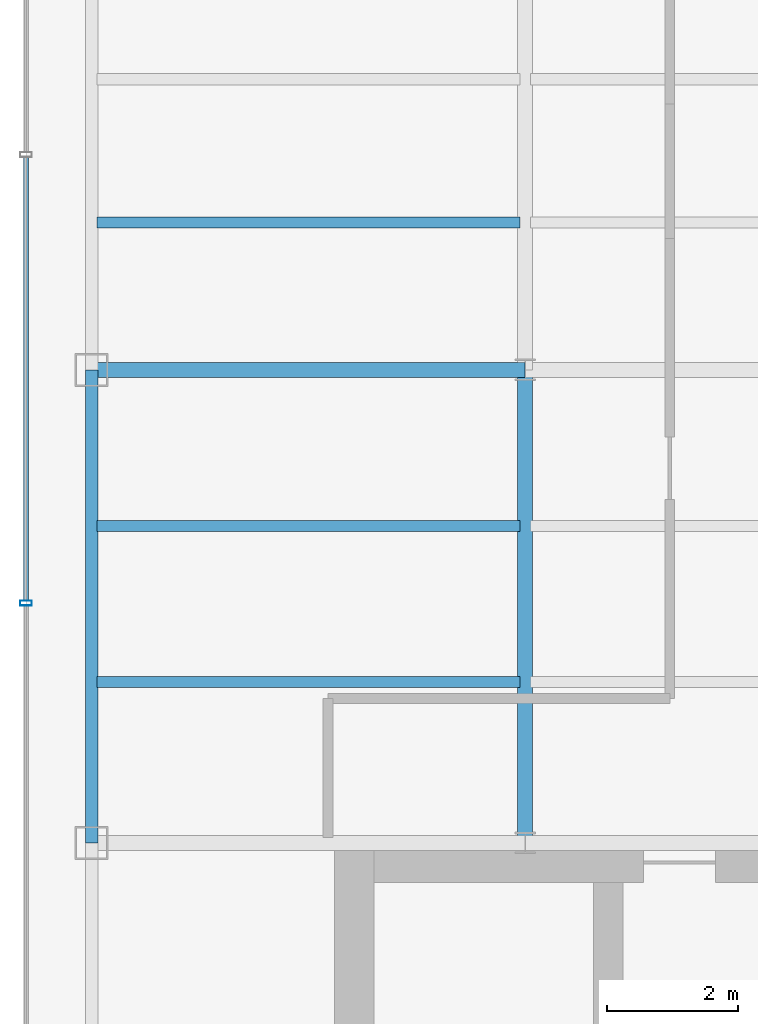
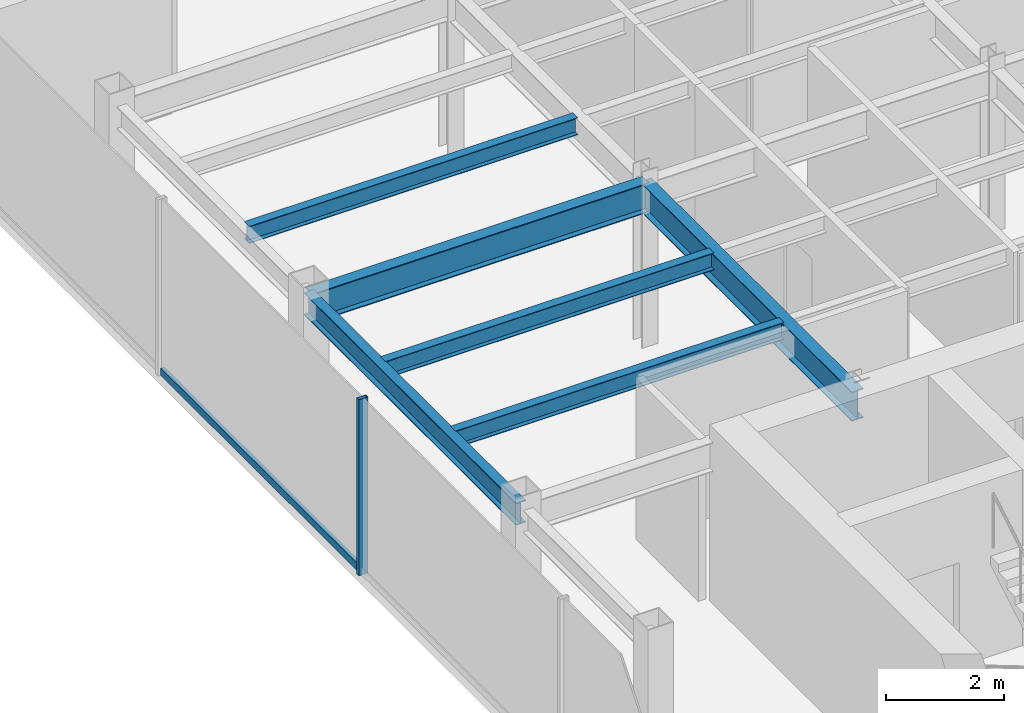
# One storey, part 5 of 22: 6 beams, 2 members, 1 element without a shape of its own.
"""IFC4 building model written with IfcOpenShell, lengths in metres."""

import ifcopenshell
import ifcopenshell.guid

model = None  # the IFC model being written
_history = None  # IfcOwnerHistory: only IFC2X3 demands one
_inside = {}  # id of a spatial element -> (the spatial element, [elements in it])
_under = {}  # id of a project, library or spatial element -> (it, [spatial elements below it])
_declared = {}  # id of a project -> (the project, [libraries it declares])
_typed = {}  # id of a type object -> (the type object, [elements of that type])
_made_of = {}  # id of a material, layer set ... -> (it, [elements and type objects made of it])


def new_model(schema):
    """Start an empty IFC model of exactly this schema.

    Asked for "IFC4X3", IfcOpenShell would pick the latest addendum, in which some entities
    have other attributes; the version numbers below select the first issue.
    IFC2X3 requires an IfcOwnerHistory on every rooted entity: one is made here for all.
    """
    global model, _history
    if schema == "IFC4X3":
        model = ifcopenshell.file(schema_version=(4, 3, 0, 0))
    else:
        model = ifcopenshell.file(schema=schema)
    _inside.clear()
    _under.clear()
    _declared.clear()
    _typed.clear()
    _made_of.clear()
    _history = None
    if model.schema == "IFC2X3":
        org = make("IfcOrganization", Name="unknown")
        user = make(
            "IfcPersonAndOrganization",
            ThePerson=make("IfcPerson", FamilyName="unknown"),
            TheOrganization=org,
        )
        app = make(
            "IfcApplication",
            ApplicationDeveloper=org,
            Version="unknown",
            ApplicationFullName="unknown",
            ApplicationIdentifier="unknown",
        )
        _history = make(
            "IfcOwnerHistory",
            OwningUser=user,
            OwningApplication=app,
            ChangeAction="ADDED",
            CreationDate=0,
        )
    return model


def make(cls, **values):
    """One entity of the class cls with the attributes given. An attribute that is None is left unset."""
    return model.create_entity(
        cls, **{name: value for name, value in values.items() if value is not None}
    )


def rooted(cls, **values):
    """An entity with a GlobalId (a new one), such as an element, a storey or a relation."""
    return make(cls, GlobalId=ifcopenshell.guid.new(), OwnerHistory=_history, **values)


def si_unit(unit_type, name, prefix=None):
    """IfcSIUnit, for example si_unit("LENGTHUNIT", "METRE", prefix="MILLI")."""
    return make("IfcSIUnit", UnitType=unit_type, Prefix=prefix, Name=name)


def derived_unit(unit_type, elements):
    """IfcDerivedUnit: a product of units, each with its exponent."""
    return make(
        "IfcDerivedUnit",
        Elements=[
            make("IfcDerivedUnitElement", Unit=unit, Exponent=power)
            for unit, power in elements
        ],
        UnitType=unit_type,
    )


def assignment(units):
    """IfcUnitAssignment: the units of a project."""
    return None if units is None else make("IfcUnitAssignment", Units=units)


def point(xyz):
    """IfcCartesianPoint."""
    return None if xyz is None else make("IfcCartesianPoint", Coordinates=xyz)


def direction(xyz):
    """IfcDirection."""
    return None if xyz is None else make("IfcDirection", DirectionRatios=xyz)


def frame(location, z_axis=None, x_axis=None):
    """IfcAxis2Placement3D, a coordinate frame: its origin and axes. An axis left out is left unset."""
    return make(
        "IfcAxis2Placement3D",
        Location=point(location),
        Axis=direction(z_axis),
        RefDirection=direction(x_axis),
    )


def frame_2d(location, x_axis=None):
    """IfcAxis2Placement2D, a coordinate frame in the plane: its origin and x axis."""
    return make(
        "IfcAxis2Placement2D", Location=point(location), RefDirection=direction(x_axis)
    )


def origin():
    """The frame at (0, 0, 0) with its axes left unset."""
    return frame((0.0, 0.0, 0.0))


def origin_2d():
    """The frame at (0, 0) in the plane with its x axis left unset."""
    return frame_2d((0.0, 0.0))


def place(relative_to, where):
    """IfcLocalPlacement: puts the frame where relative to a parent placement (None: the world)."""
    return make(
        "IfcLocalPlacement", PlacementRelTo=relative_to, RelativePlacement=where
    )


def context(
    kind, dimensions, precision=None, world=None, true_north=None, identifier=None
):
    """IfcGeometricRepresentationContext, for example the 3D "Model" context."""
    return make(
        "IfcGeometricRepresentationContext",
        ContextIdentifier=identifier,
        ContextType=kind,
        CoordinateSpaceDimension=dimensions,
        Precision=precision,
        WorldCoordinateSystem=world,
        TrueNorth=true_north,
    )


def subcontext(parent, identifier, kind, view, scale=None):
    """IfcGeometricRepresentationSubContext, for example "Body" below "Model"."""
    return make(
        "IfcGeometricRepresentationSubContext",
        ContextIdentifier=identifier,
        ContextType=kind,
        ParentContext=parent,
        TargetScale=scale,
        TargetView=view,
    )


def project(units=None, contexts=None):
    """IfcProject with its units and contexts."""
    return rooted(
        "IfcProject",
        Name="project",
        RepresentationContexts=contexts,
        UnitsInContext=assignment(units),
    )


def spatial(cls, under=None, at=None, **own):
    """A site, building, storey or space (cls), placed at a placement, below another one or the project."""
    s = rooted(cls, ObjectPlacement=at, **own)
    if under is not None:
        _under.setdefault(under.id(), (under, []))[1].append(s)
    return s


def profile(cls, at=None, kind="AREA", **sizes):
    """A parametric profile (cls). Its sizes go by their IFC names, for example OverallWidth=200.0."""
    return make(cls, ProfileType=kind, Position=at, **sizes)


def hollow_rectangle(**sizes):
    """IfcRectangleHollowProfileDef."""
    return profile("IfcRectangleHollowProfileDef", **sizes)


def i_section(**sizes):
    """IfcIShapeProfileDef."""
    return profile("IfcIShapeProfileDef", **sizes)


def extrude(swept, where, along, depth):
    """IfcExtrudedAreaSolid: the profile swept, set in the frame where, extruded along a direction by depth."""
    return make(
        "IfcExtrudedAreaSolid",
        SweptArea=swept,
        Position=where,
        ExtrudedDirection=direction(along),
        Depth=depth,
    )


def shape(context_of_items, identifier, shape_type, items):
    """IfcShapeRepresentation: the items that make up one representation, for example the "Body"."""
    return make(
        "IfcShapeRepresentation",
        ContextOfItems=context_of_items,
        RepresentationIdentifier=identifier,
        RepresentationType=shape_type,
        Items=items,
    )


def source(mapping_origin, context_of_items, identifier, shape_type, items):
    """IfcRepresentationMap: a shape defined once, which mapped items show again and again."""
    return make(
        "IfcRepresentationMap",
        MappingOrigin=mapping_origin,
        MappedRepresentation=shape(context_of_items, identifier, shape_type, items),
    )


def transform(
    local_origin,
    x_axis=None,
    y_axis=None,
    z_axis=None,
    scale=None,
    scale2=None,
    scale3=None,
    uniform=True,
):
    """IfcCartesianTransformationOperator3D, or its non-uniform kind. x_axis, y_axis, z_axis: its Axis1, 2, 3."""
    if uniform:
        return make(
            "IfcCartesianTransformationOperator3D",
            Axis1=direction(x_axis),
            Axis2=direction(y_axis),
            LocalOrigin=point(local_origin),
            Scale=scale,
            Axis3=direction(z_axis),
        )
    return make(
        "IfcCartesianTransformationOperator3DnonUniform",
        Axis1=direction(x_axis),
        Axis2=direction(y_axis),
        LocalOrigin=point(local_origin),
        Scale=scale,
        Axis3=direction(z_axis),
        Scale2=scale2,
        Scale3=scale3,
    )


def mapped(mapping_source, mapping_target):
    """IfcMappedItem: shows the shape of a source again, moved by a transform."""
    return make(
        "IfcMappedItem", MappingSource=mapping_source, MappingTarget=mapping_target
    )


def material(Name=None, Category=None):
    """IfcMaterial."""
    return make("IfcMaterial", Name=Name, Category=Category)


def material_profile(
    of_material, cross_section, Name=None, Category=None, Priority=None
):
    """IfcMaterialProfile: a cross section and its material."""
    return make(
        "IfcMaterialProfile",
        Name=Name,
        Material=of_material,
        Profile=cross_section,
        Priority=Priority,
        Category=Category,
    )


def profile_set(profiles, Name=None, composite=None):
    """IfcMaterialProfileSet."""
    return make(
        "IfcMaterialProfileSet",
        Name=Name,
        MaterialProfiles=profiles,
        CompositeProfile=composite,
    )


def made_of(thing, what):
    """Note that an element or type object is made of a material, layer set ...; save() writes the relation."""
    if what is not None:
        _made_of.setdefault(what.id(), (what, []))[1].append(thing)
    return thing


def type_object(cls, material=None, **own):
    """A type object (cls), such as IfcWallType, which elements share."""
    return made_of(rooted(cls, **own), material)


def element(
    cls,
    number,
    at=None,
    inside=None,
    cuts=None,
    type_object=None,
    material=None,
    context=None,
    identifier="Body",
    shape_type=None,
    held_by="IfcProductDefinitionShape",
    body=None,
    shapes=None,
    **own,
):
    """One element of the class cls, such as IfcWall. Its Tag is "e" and its number.

    at: its placement. inside: the storey or other place that contains it. cuts: it is an
    opening in that element (IfcRelVoidsElement). A single representation is given by context,
    identifier, shape_type and body (its items); several are given by shapes. held_by: the class
    of the entity that holds the representations. save() writes the other relations.
    """
    e = rooted(cls, Tag="e%d" % number, ObjectPlacement=at, **own)
    if body is not None:
        shapes = [shape(context, identifier, shape_type, body)]
    if shapes is not None:
        e.Representation = make(held_by, Representations=shapes)
    if inside is not None:
        _inside.setdefault(inside.id(), (inside, []))[1].append(e)
    if cuts is not None:
        rooted(
            "IfcRelVoidsElement", RelatingBuildingElement=cuts, RelatedOpeningElement=e
        )
    if type_object is not None:
        _typed.setdefault(type_object.id(), (type_object, []))[1].append(e)
    return made_of(e, material)


def aggregate(whole, parts):
    """IfcRelAggregates: a whole, such as a stair, and the parts it consists of."""
    return rooted("IfcRelAggregates", RelatingObject=whole, RelatedObjects=parts)


def save(model, path):
    """Write the relations noted so far, then the file.

    IfcRelAggregates (storeys below a building ...), IfcRelContainedInSpatialStructure (elements
    in a storey), IfcRelDefinesByType, IfcRelAssociatesMaterial and IfcRelDeclares: one each for
    every whole, place, type object, material and project.
    """
    for whole, parts in _under.values():
        aggregate(whole, parts)
    for where, things in _inside.values():
        rooted(
            "IfcRelContainedInSpatialStructure",
            RelatedElements=things,
            RelatingStructure=where,
        )
    for kind, things in _typed.values():
        rooted("IfcRelDefinesByType", RelatedObjects=things, RelatingType=kind)
    for what, things in _made_of.values():
        rooted("IfcRelAssociatesMaterial", RelatedObjects=things, RelatingMaterial=what)
    for by, libraries in _declared.values():
        rooted("IfcRelDeclares", RelatingContext=by, RelatedDefinitions=libraries)
    model.write(path)


model = new_model("IFC4")

# Units and contexts
model_context = context("Model", 3, precision=1e-05, world=origin(), true_north=direction((0.0, 1.0)))
body_context = subcontext(model_context, "Body", "Model", "MODEL_VIEW")
ifc_project = project(units=[si_unit("LENGTHUNIT", "METRE"), si_unit("AREAUNIT", "SQUARE_METRE"), si_unit("VOLUMEUNIT", "CUBIC_METRE"), si_unit("PLANEANGLEUNIT", "RADIAN"), si_unit("MASSUNIT", "GRAM", prefix="KILO"), derived_unit("THERMALTRANSMITTANCEUNIT", [(si_unit("POWERUNIT", "WATT"), 1), (si_unit("LENGTHUNIT", "METRE"), -2), (si_unit("THERMODYNAMICTEMPERATUREUNIT", "KELVIN"), -1)])], contexts=[model_context])

# Site, building, storey
site_placement = place(None, origin())
site = spatial("IfcSite", under=ifc_project, at=site_placement, CompositionType="ELEMENT")
building_placement = place(site_placement, origin())
building = spatial("IfcBuilding", under=site, at=building_placement, Name="Skarnbrae Concourse Arena and Tower", CompositionType="ELEMENT")
storey_placement = place(building_placement, frame((0.0, 0.0, 232.39990234375)))
storey = spatial("IfcBuildingStorey", under=building, at=storey_placement, Name="L60", CompositionType="ELEMENT", Elevation=232.39990234375)

# Beams
ifc_material_1 = material(Name="Steel CSA G40.21 350W", Category="steel")
ifc_material_profile_1 = material_profile(ifc_material_1, i_section(OverallWidth=0.22802734375, OverallDepth=0.60791015625, WebThickness=0.01123046875, FlangeThickness=0.017333984375, at=origin_2d()), Name="W610X113")
ifc_profile_set_1 = profile_set([ifc_material_profile_1], Name="Steel CSA G40.21 350W")
beam_type_1 = type_object("IfcBeamType", Name="BM-GIRD-W610X113", PredefinedType="BEAM", material=ifc_profile_set_1)
shared_shape_1 = source(origin(), body_context, "Body", "SweptSolid", [
    extrude(i_section(OverallWidth=0.22802734375, OverallDepth=0.60791015625, WebThickness=0.01123046875, FlangeThickness=0.017333984375, at=origin_2d()), origin(), (0.0, 0.0, 1.0), 6.60009765625),
])
beam_1_placement = place(storey_placement, frame((1.0, 21.199951171875, 3.046142578125), z_axis=(1.0, 0.0, 0.0), x_axis=(0.0, 1.0, 0.0)))
element("IfcBeam", 1, at=beam_1_placement, inside=storey, type_object=beam_type_1, Name="L60 Primary E-W girder Y21.2-1", PredefinedType="BEAM", context=body_context, shape_type="MappedRepresentation", body=[
    mapped(shared_shape_1, transform((0.0, 0.0, 0.0))),
])
ifc_material_profile_2 = material_profile(ifc_material_1, i_section(OverallWidth=0.19091796875, OverallDepth=0.4599609375, WebThickness=0.010009765625, FlangeThickness=0.01611328125, at=origin_2d()), Name="W460X82")
ifc_profile_set_2 = profile_set([ifc_material_profile_2], Name="Steel CSA G40.21 350W")
beam_type_2 = type_object("IfcBeamType", Name="BM-SPAN-W460X82", PredefinedType="SPANDREL", material=ifc_profile_set_2)
shared_shape_2 = source(origin(), body_context, "Body", "SweptSolid", [
    extrude(i_section(OverallWidth=0.19091796875, OverallDepth=0.4599609375, WebThickness=0.010009765625, FlangeThickness=0.01611328125, at=origin_2d()), origin(), (0.0, 0.0, 1.0), 7.199951171875),
])
beam_2_placement = place(storey_placement, frame((1.0, 14.0, 3.1201171875), z_axis=(0.0, 1.0, 0.0), x_axis=(-1.0, 0.0, 0.0)))
element("IfcBeam", 2, at=beam_2_placement, inside=storey, type_object=beam_type_2, Name="L60 Perimeter spandrel X1.0-2", PredefinedType="SPANDREL", context=body_context, shape_type="MappedRepresentation", body=[
    mapped(shared_shape_2, transform((0.0, 0.0, 0.0))),
])
shared_shape_3 = source(origin(), body_context, "Body", "SweptSolid", [
    extrude(i_section(OverallWidth=0.22802734375, OverallDepth=0.60791015625, WebThickness=0.01123046875, FlangeThickness=0.017333984375, at=origin_2d()), origin(), (0.0, 0.0, 1.0), 7.199951171875),
])
beam_3_placement = place(storey_placement, frame((7.60009765625, 14.0, 3.046142578125), z_axis=(0.0, 1.0, 0.0), x_axis=(-1.0, 0.0, 0.0)))
element("IfcBeam", 3, at=beam_3_placement, inside=storey, type_object=beam_type_1, Name="L60 Primary N-S girder X7.6-1", PredefinedType="BEAM", context=body_context, shape_type="MappedRepresentation", body=[
    mapped(shared_shape_3, transform((0.0, 0.0, 0.0))),
])
ifc_material_profile_3 = material_profile(ifc_material_1, i_section(OverallWidth=0.1708984375, OverallDepth=0.35498046875, WebThickness=0.007080078125, FlangeThickness=0.01171875, at=origin_2d()), Name="W360X51")
ifc_profile_set_3 = profile_set([ifc_material_profile_3], Name="Steel CSA G40.21 350W")
beam_type_3 = type_object("IfcBeamType", Name="BM-JOIST-W360X51", PredefinedType="JOIST", material=ifc_profile_set_3)
shared_shape_4 = source(origin(), body_context, "Body", "SweptSolid", [
    extrude(i_section(OverallWidth=0.1708984375, OverallDepth=0.35498046875, WebThickness=0.007080078125, FlangeThickness=0.01171875, at=origin_2d()), origin(), (0.0, 0.0, 1.0), 6.43994140625),
])
for number, where, z_axis, x_axis, name in (
    (4, (1.080078125, 16.447998046875, 3.172607421875), (1.0, 0.0, 0.0), (0.0, 1.0, 0.0), "L60 Secondary floor joist 1.1.1"),
    (5, (1.080078125, 18.823974609375, 3.172607421875), (1.0, 0.0, 0.0), (0.0, 1.0, 0.0), "L60 Secondary floor joist 1.2.1"),
    (6, (1.080078125, 23.444091796875, 3.172607421875), (1.0, 0.0, 0.0), (0.0, 1.0, 0.0), "L60 Secondary floor joist 2.1.1"),
):
    element("IfcBeam", number, at=place(storey_placement, frame(where, z_axis=z_axis, x_axis=x_axis)), inside=storey, type_object=beam_type_3, Name=name, PredefinedType="JOIST", context=body_context, shape_type="MappedRepresentation", body=[
        mapped(shared_shape_4, transform((0.0, 0.0, 0.0))),
    ])

# Curtain wall, members
ifc_material_2 = material(Name="Bronze anodised aluminium 6063-T6", Category="aluminium")
curtain_wall_type = type_object("IfcCurtainWallType", Name="CW-SYS-05-HIGHZONE", PredefinedType="USERDEFINED", material=ifc_material_2)
curtain_wall_placement = place(storey_placement, origin())
curtain_wall = element("IfcCurtainWall", 7, at=curtain_wall_placement, inside=storey, type_object=curtain_wall_type, Name="L60 Unitised curtain wall CW-L60-E18", ObjectType="UNITISED CURTAIN WALL", PredefinedType="USERDEFINED")
ifc_material_profile_4 = material_profile(ifc_material_2, hollow_rectangle(XDim=0.074951171875, YDim=0.14990234375, WallThickness=0.00390625, at=origin_2d()), Name="ALU-TRAN-75X150")
ifc_profile_set_4 = profile_set([ifc_material_profile_4], Name="Bronze anodised aluminium 6063-T6")
member_type_1 = type_object("IfcMemberType", Name="CWT-CW-05", PredefinedType="USERDEFINED", material=ifc_profile_set_4)
shared_shape_5 = source(origin(), body_context, "Body", "SweptSolid", [
    extrude(hollow_rectangle(XDim=0.074951171875, YDim=0.14990234375, WallThickness=0.00390625, at=origin_2d()), origin(), (0.0, 0.0, 1.0), 6.75),
])
member_1_placement = place(storey_placement, frame((0.0, 24.4375, 0.0751953125), z_axis=(0.0, -1.0, 0.0), x_axis=(1.0, 0.0, 0.0)))
member_1 = element("IfcMember", 8, at=member_1_placement, type_object=member_type_1, Name="CW-L60-E18 Transom 2", ObjectType="TRANSOM", PredefinedType="USERDEFINED", context=body_context, shape_type="MappedRepresentation", body=[
    mapped(shared_shape_5, transform((0.0, 0.0, 0.0))),
])
ifc_material_profile_5 = material_profile(ifc_material_2, hollow_rectangle(XDim=0.074951171875, YDim=0.179931640625, WallThickness=0.00390625, at=origin_2d()), Name="ALU-MULL-75X180")
ifc_profile_set_5 = profile_set([ifc_material_profile_5], Name="Bronze anodised aluminium 6063-T6")
member_type_2 = type_object("IfcMemberType", Name="CWM-CW-05", PredefinedType="MULLION", material=ifc_profile_set_5)
shared_shape_6 = source(origin(), body_context, "Body", "SweptSolid", [
    extrude(hollow_rectangle(XDim=0.074951171875, YDim=0.179931640625, WallThickness=0.00390625, at=origin_2d()), origin(), (0.0, 0.0, 1.0), 3.650146484375),
])
member_2_placement = place(storey_placement, frame((0.0, 17.64990234375, 0.0), z_axis=(0.0, 0.0, 1.0), x_axis=(0.0, -1.0, 0.0)))
member_2 = element("IfcMember", 9, at=member_2_placement, type_object=member_type_2, Name="CW-L60-E18 Mullion 3", PredefinedType="MULLION", context=body_context, shape_type="MappedRepresentation", body=[
    mapped(shared_shape_6, transform((0.0, 0.0, 0.0))),
])
aggregate(curtain_wall, [member_2, member_1])

save(model, "model.ifc")
